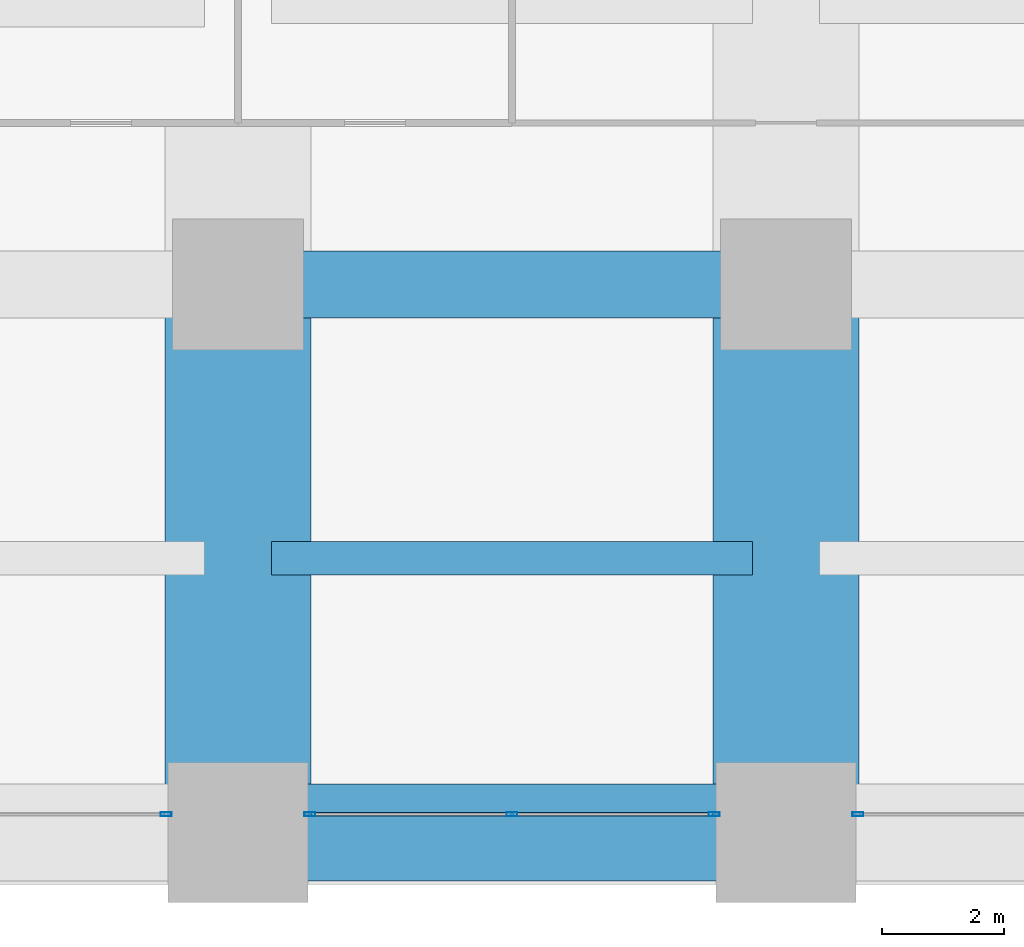
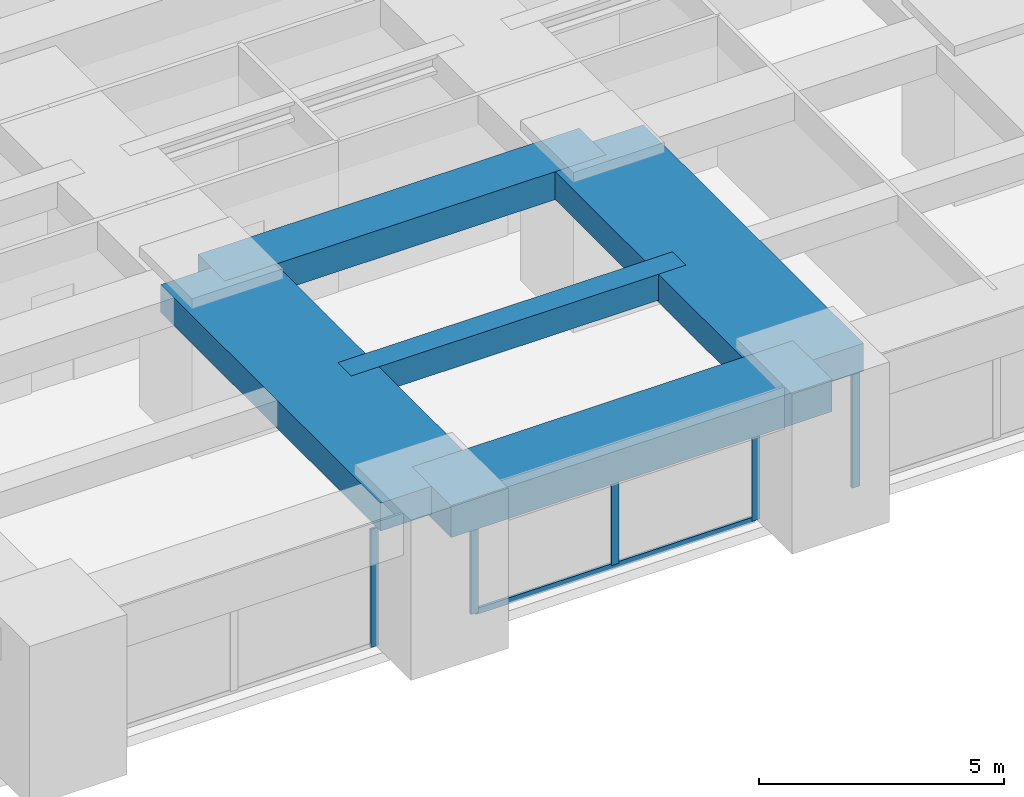
# One storey, part 6 of 43: 6 members, 5 beams, 3 elements without a shape of their own.
"""IFC4 building model written with IfcOpenShell, lengths in metres."""

from ifc_helpers import new_model, si_unit, direction, frame, origin, origin_2d, place, context, subcontext, project, spatial, rectangle, hollow_rectangle, extrude, material, material_profile, profile_set, type_object, element, aggregate, save


model = new_model("IFC4")

# Units and contexts
model_context = context("Model", 3, precision=1e-05, world=origin(), true_north=direction((0.0, 1.0)))
body_context = subcontext(model_context, "Body", "Model", "MODEL_VIEW")
ifc_project = project(units=[si_unit("LENGTHUNIT", "METRE"), si_unit("AREAUNIT", "SQUARE_METRE"), si_unit("VOLUMEUNIT", "CUBIC_METRE"), si_unit("PLANEANGLEUNIT", "RADIAN"), si_unit("MASSUNIT", "GRAM", prefix="KILO")], contexts=[model_context])

# Site, building, storey
site_placement = place(None, origin())
site = spatial("IfcSite", under=ifc_project, at=site_placement, CompositionType="ELEMENT")
building_placement = place(site_placement, origin())
building = spatial("IfcBuilding", under=site, at=building_placement, Name="Zorevar Civic Tower", CompositionType="ELEMENT")
storey_placement = place(building_placement, frame((0.0, 0.0, 67.800048828125)))
storey = spatial("IfcBuildingStorey", under=building, at=storey_placement, Name="L16", CompositionType="ELEMENT", Elevation=67.800048828125)

# Beams
ifc_material_1 = material(Name="Concrete C50/60", Category="concrete")
ifc_material_profile_1 = material_profile(ifc_material_1, rectangle(XDim=1.10009765625, YDim=0.699951171875, at=origin_2d()), Name="RC 1100x700")
ifc_profile_set_1 = profile_set([ifc_material_profile_1], Name="Concrete C50/60")
beam_type_1 = type_object("IfcBeamType", Name="Beam RC 1100x700", PredefinedType="BEAM", material=ifc_profile_set_1)
beam_1_placement = place(storey_placement, frame((18.0, 9.0, 3.39990234375), z_axis=(1.0, 0.0, 0.0), x_axis=(0.0, 1.0, 0.0)))
element("IfcBeam", 1, at=beam_1_placement, inside=storey, type_object=beam_type_1, Name="Girder L17", PredefinedType="BEAM", context=body_context, shape_type="SweptSolid", body=[
    extrude(rectangle(XDim=1.10009765625, YDim=0.699951171875, at=origin_2d()), origin(), (0.0, 0.0, 1.0), 9.0),
])
ifc_material_2 = material(Name="Concrete C50/60", Category="concrete")
ifc_material_profile_2 = material_profile(ifc_material_2, rectangle(XDim=2.39990234375, YDim=0.699951171875, at=origin_2d()), Name="RC 2400x700")
ifc_profile_set_2 = profile_set([ifc_material_profile_2], Name="Concrete C50/60")
beam_type_2 = type_object("IfcBeamType", Name="Beam RC 2400x700", PredefinedType="BEAM", material=ifc_profile_set_2)
for number, where, z_axis, x_axis, name in (
    (2, (18.0, 0.0, 3.39990234375), (0.0, 1.0, 0.0), (-1.0, 0.0, 0.0), "Girder L17"),
    (3, (27.0, 0.0, 3.39990234375), (0.0, 1.0, 0.0), (-1.0, 0.0, 0.0), "Girder L17"),
):
    element("IfcBeam", number, at=place(storey_placement, frame(where, z_axis=z_axis, x_axis=x_axis)), inside=storey, type_object=beam_type_2, Name=name, PredefinedType="BEAM", context=body_context, shape_type="SweptSolid", body=[
        extrude(rectangle(XDim=2.39990234375, YDim=0.699951171875, at=origin_2d()), origin(), (0.0, 0.0, 1.0), 9.0),
    ])
ifc_material_3 = material(Name="Concrete C50/60", Category="concrete")
ifc_material_profile_3 = material_profile(ifc_material_3, rectangle(XDim=0.550048828125, YDim=0.64990234375, at=origin_2d()), Name="RC 550x650")
ifc_profile_set_3 = profile_set([ifc_material_profile_3], Name="Concrete C50/60")
beam_type_3 = type_object("IfcBeamType", Name="Beam RC 550x650", PredefinedType="BEAM", material=ifc_profile_set_3)
beam_2_placement = place(storey_placement, frame((18.550048828125, 4.5, 3.425048828125), z_axis=(1.0, 0.0, 0.0), x_axis=(0.0, 1.0, 0.0)))
element("IfcBeam", 4, at=beam_2_placement, inside=storey, type_object=beam_type_3, Name="Secondary beam L17", PredefinedType="BEAM", context=body_context, shape_type="SweptSolid", body=[
    extrude(rectangle(XDim=0.550048828125, YDim=0.64990234375, at=origin_2d()), origin(), (0.0, 0.0, 1.0), 7.89990234375),
])

# Curtain wall, member
ifc_material_4 = material(Name="Dark grey solar-control glass in black aluminium frame", Category="aluminium")
curtain_wall_type = type_object("IfcCurtainWallType", Name="Curtain wall CW2 low zone", PredefinedType="NOTDEFINED", material=ifc_material_4)
curtain_wall_1_placement = place(storey_placement, origin())
curtain_wall_1 = element("IfcCurtainWall", 5, at=curtain_wall_1_placement, inside=storey, type_object=curtain_wall_type, Name="CW2 L16", PredefinedType="NOTDEFINED")
ifc_material_5 = material(Name="Aluminium, black anodised", Category="aluminium")
ifc_material_profile_4 = material_profile(ifc_material_5, hollow_rectangle(XDim=0.06005859375, YDim=0.179931640625, WallThickness=0.00390625, at=origin_2d()), Name="AL 180x60x4")
ifc_profile_set_4 = profile_set([ifc_material_profile_4], Name="Aluminium, black anodised")
member_type_1 = type_object("IfcMemberType", Name="CW2 mullion AL 180x60x4", PredefinedType="MULLION", material=ifc_profile_set_4)
member_1_placement = place(storey_placement, frame((16.820068359375, 0.300048828125, 0.0), z_axis=(0.0, 0.0, 1.0), x_axis=(0.0, 1.0, 0.0)))
member_1 = element("IfcMember", 6, at=member_1_placement, type_object=member_type_1, Name="CW2 mullion 3", PredefinedType="MULLION", context=body_context, shape_type="SweptSolid", body=[
    extrude(hollow_rectangle(XDim=0.06005859375, YDim=0.179931640625, WallThickness=0.00390625, at=origin_2d()), origin(), (0.0, 0.0, 1.0), 2.949951171875),
])
aggregate(curtain_wall_1, [member_1])

# Curtain wall, members
curtain_wall_2_placement = place(storey_placement, origin())
curtain_wall_2 = element("IfcCurtainWall", 7, at=curtain_wall_2_placement, inside=storey, type_object=curtain_wall_type, Name="CW2 L16", PredefinedType="NOTDEFINED")
member_2_placement = place(storey_placement, frame((19.179931640625, 0.300048828125, 0.0), z_axis=(0.0, 0.0, 1.0), x_axis=(0.0, 1.0, 0.0)))
member_2 = element("IfcMember", 8, at=member_2_placement, type_object=member_type_1, Name="CW2 mullion 1", PredefinedType="MULLION", context=body_context, shape_type="SweptSolid", body=[
    extrude(hollow_rectangle(XDim=0.06005859375, YDim=0.179931640625, WallThickness=0.00390625, at=origin_2d()), origin(), (0.0, 0.0, 1.0), 2.949951171875),
])
member_3_placement = place(storey_placement, frame((22.5, 0.300048828125, 0.06005859375), z_axis=(0.0, 0.0, 1.0), x_axis=(0.0, 1.0, 0.0)))
member_3 = element("IfcMember", 9, at=member_3_placement, type_object=member_type_1, Name="CW2 mullion 2", PredefinedType="MULLION", context=body_context, shape_type="SweptSolid", body=[
    extrude(hollow_rectangle(XDim=0.06005859375, YDim=0.179931640625, WallThickness=0.00390625, at=origin_2d()), origin(), (0.0, 0.0, 1.0), 2.889892578125),
])
member_4_placement = place(storey_placement, frame((25.820068359375, 0.300048828125, 0.0), z_axis=(0.0, 0.0, 1.0), x_axis=(0.0, 1.0, 0.0)))
member_4 = element("IfcMember", 10, at=member_4_placement, type_object=member_type_1, Name="CW2 mullion 3", PredefinedType="MULLION", context=body_context, shape_type="SweptSolid", body=[
    extrude(hollow_rectangle(XDim=0.06005859375, YDim=0.179931640625, WallThickness=0.00390625, at=origin_2d()), origin(), (0.0, 0.0, 1.0), 2.949951171875),
])

# Curtain wall, member
curtain_wall_3_placement = place(storey_placement, origin())
curtain_wall_3 = element("IfcCurtainWall", 11, at=curtain_wall_3_placement, inside=storey, type_object=curtain_wall_type, Name="CW2 L16", PredefinedType="NOTDEFINED")
member_5_placement = place(storey_placement, frame((28.179931640625, 0.300048828125, 0.0), z_axis=(0.0, 0.0, 1.0), x_axis=(0.0, 1.0, 0.0)))
member_5 = element("IfcMember", 12, at=member_5_placement, type_object=member_type_1, Name="CW2 mullion 1", PredefinedType="MULLION", context=body_context, shape_type="SweptSolid", body=[
    extrude(hollow_rectangle(XDim=0.06005859375, YDim=0.179931640625, WallThickness=0.00390625, at=origin_2d()), origin(), (0.0, 0.0, 1.0), 2.949951171875),
])
aggregate(curtain_wall_3, [member_5])

# Member
ifc_material_6 = material(Name="Aluminium, black anodised", Category="aluminium")
ifc_material_profile_5 = material_profile(ifc_material_6, hollow_rectangle(XDim=0.06005859375, YDim=0.14990234375, WallThickness=0.00390625, at=origin_2d()), Name="AL 150x60x4")
ifc_profile_set_5 = profile_set([ifc_material_profile_5], Name="Aluminium, black anodised")
member_type_2 = type_object("IfcMemberType", Name="CW2 transom AL 150x60x4", PredefinedType="USERDEFINED", material=ifc_profile_set_5)
member_6_placement = place(storey_placement, frame((19.2099609375, 0.300048828125, 0.030029296875), z_axis=(1.0, 0.0, 0.0), x_axis=(0.0, 1.0, 0.0)))
member_6 = element("IfcMember", 13, at=member_6_placement, type_object=member_type_2, Name="CW2 sill transom", ObjectType="TRANSOM", PredefinedType="USERDEFINED", context=body_context, shape_type="SweptSolid", body=[
    extrude(hollow_rectangle(XDim=0.06005859375, YDim=0.14990234375, WallThickness=0.00390625, at=origin_2d()), origin(), (0.0, 0.0, 1.0), 6.580078125),
])

aggregate(curtain_wall_2, [member_2, member_3, member_4, member_6])

# Beam
ifc_material_7 = material(Name="Concrete C50/60", Category="concrete")
ifc_material_profile_6 = material_profile(ifc_material_7, rectangle(XDim=1.60009765625, YDim=0.800048828125, at=origin_2d()), Name="RC 1600x800")
ifc_profile_set_6 = profile_set([ifc_material_profile_6], Name="Concrete C50/60")
beam_type_4 = type_object("IfcBeamType", Name="Edge beam RC 1600x800", PredefinedType="SPANDREL", material=ifc_profile_set_6)
beam_3_placement = place(storey_placement, frame((18.0, 0.0, 3.349853515625), z_axis=(1.0, 0.0, 0.0), x_axis=(0.0, 1.0, 0.0)))
element("IfcBeam", 14, at=beam_3_placement, inside=storey, type_object=beam_type_4, Name="Edge beam L17", PredefinedType="SPANDREL", context=body_context, shape_type="SweptSolid", body=[
    extrude(rectangle(XDim=1.60009765625, YDim=0.800048828125, at=origin_2d()), origin(), (0.0, 0.0, 1.0), 9.0),
])

save(model, "model.ifc")
